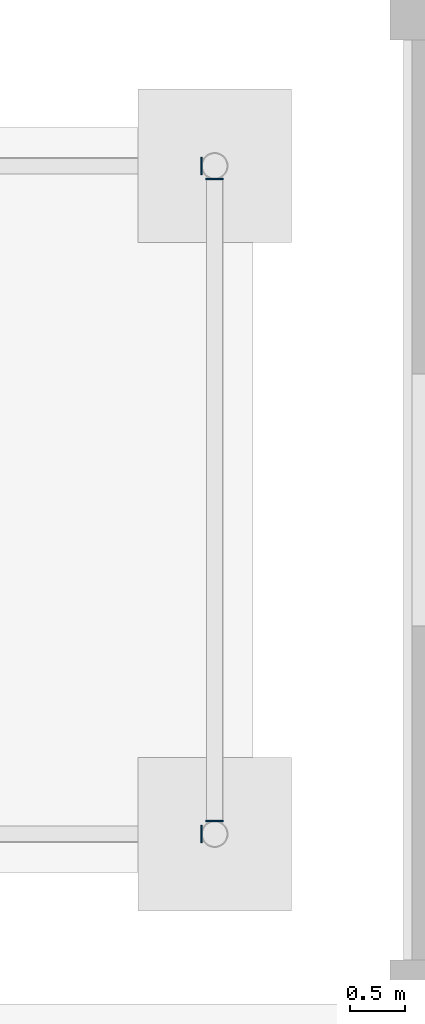
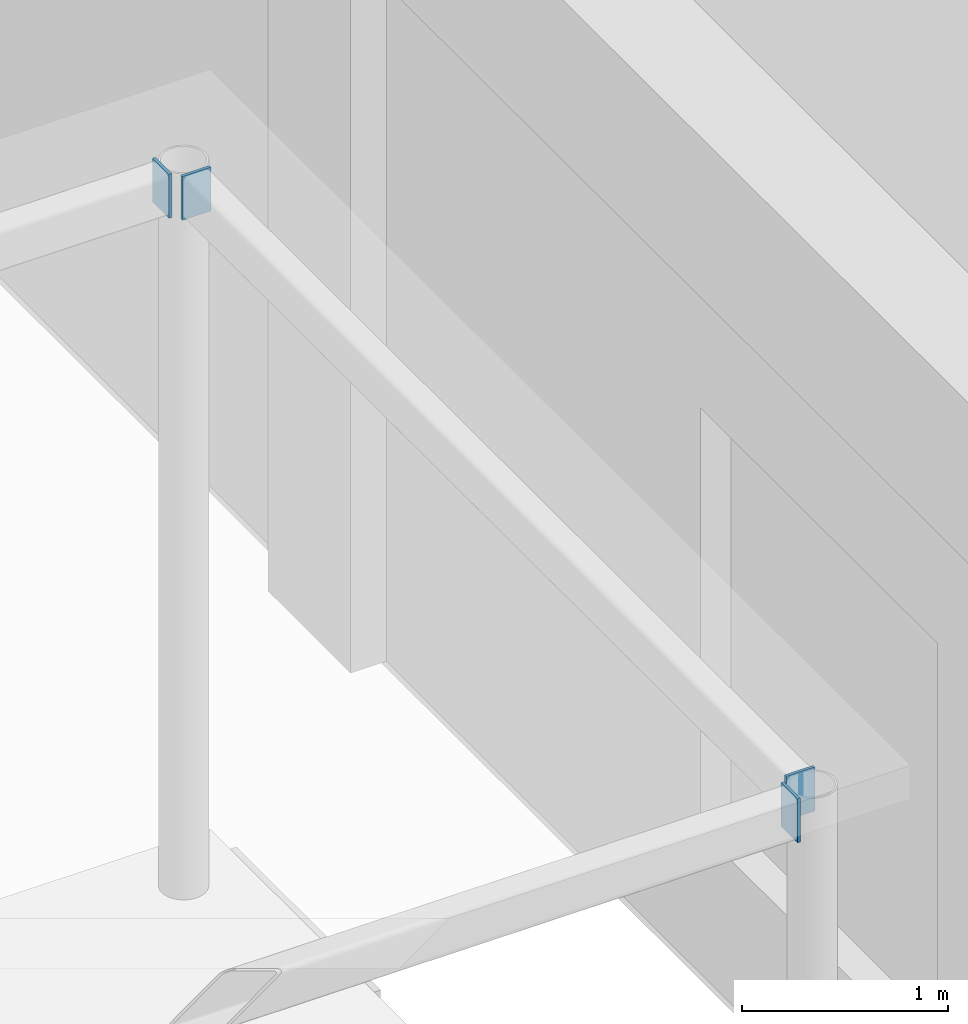
# One storey, part 50 of 76: 4 plates.
"""IFC4 building model written with IfcOpenShell, lengths in metres."""

import ifcopenshell
import ifcopenshell.guid

model = None  # the IFC model being written
_history = None  # IfcOwnerHistory: only IFC2X3 demands one
_inside = {}  # id of a spatial element -> (the spatial element, [elements in it])
_under = {}  # id of a project, library or spatial element -> (it, [spatial elements below it])
_declared = {}  # id of a project -> (the project, [libraries it declares])
_typed = {}  # id of a type object -> (the type object, [elements of that type])
_made_of = {}  # id of a material, layer set ... -> (it, [elements and type objects made of it])


def new_model(schema):
    """Start an empty IFC model of exactly this schema.

    Asked for "IFC4X3", IfcOpenShell would pick the latest addendum, in which some entities
    have other attributes; the version numbers below select the first issue.
    IFC2X3 requires an IfcOwnerHistory on every rooted entity: one is made here for all.
    """
    global model, _history
    if schema == "IFC4X3":
        model = ifcopenshell.file(schema_version=(4, 3, 0, 0))
    else:
        model = ifcopenshell.file(schema=schema)
    _inside.clear()
    _under.clear()
    _declared.clear()
    _typed.clear()
    _made_of.clear()
    _history = None
    if model.schema == "IFC2X3":
        org = make("IfcOrganization", Name="unknown")
        user = make(
            "IfcPersonAndOrganization",
            ThePerson=make("IfcPerson", FamilyName="unknown"),
            TheOrganization=org,
        )
        app = make(
            "IfcApplication",
            ApplicationDeveloper=org,
            Version="unknown",
            ApplicationFullName="unknown",
            ApplicationIdentifier="unknown",
        )
        _history = make(
            "IfcOwnerHistory",
            OwningUser=user,
            OwningApplication=app,
            ChangeAction="ADDED",
            CreationDate=0,
        )
    return model


def make(cls, **values):
    """One entity of the class cls with the attributes given. An attribute that is None is left unset."""
    return model.create_entity(
        cls, **{name: value for name, value in values.items() if value is not None}
    )


def rooted(cls, **values):
    """An entity with a GlobalId (a new one), such as an element, a storey or a relation."""
    return make(cls, GlobalId=ifcopenshell.guid.new(), OwnerHistory=_history, **values)


def si_unit(unit_type, name, prefix=None):
    """IfcSIUnit, for example si_unit("LENGTHUNIT", "METRE", prefix="MILLI")."""
    return make("IfcSIUnit", UnitType=unit_type, Prefix=prefix, Name=name)


def assignment(units):
    """IfcUnitAssignment: the units of a project."""
    return None if units is None else make("IfcUnitAssignment", Units=units)


def point(xyz):
    """IfcCartesianPoint."""
    return None if xyz is None else make("IfcCartesianPoint", Coordinates=xyz)


def direction(xyz):
    """IfcDirection."""
    return None if xyz is None else make("IfcDirection", DirectionRatios=xyz)


def frame(location, z_axis=None, x_axis=None):
    """IfcAxis2Placement3D, a coordinate frame: its origin and axes. An axis left out is left unset."""
    return make(
        "IfcAxis2Placement3D",
        Location=point(location),
        Axis=direction(z_axis),
        RefDirection=direction(x_axis),
    )


def frame_2d(location, x_axis=None):
    """IfcAxis2Placement2D, a coordinate frame in the plane: its origin and x axis."""
    return make(
        "IfcAxis2Placement2D", Location=point(location), RefDirection=direction(x_axis)
    )


def origin():
    """The frame at (0, 0, 0) with its axes left unset."""
    return frame((0.0, 0.0, 0.0))


def origin_2d():
    """The frame at (0, 0) in the plane with its x axis left unset."""
    return frame_2d((0.0, 0.0))


def place(relative_to, where):
    """IfcLocalPlacement: puts the frame where relative to a parent placement (None: the world)."""
    return make(
        "IfcLocalPlacement", PlacementRelTo=relative_to, RelativePlacement=where
    )


def context(
    kind, dimensions, precision=None, world=None, true_north=None, identifier=None
):
    """IfcGeometricRepresentationContext, for example the 3D "Model" context."""
    return make(
        "IfcGeometricRepresentationContext",
        ContextIdentifier=identifier,
        ContextType=kind,
        CoordinateSpaceDimension=dimensions,
        Precision=precision,
        WorldCoordinateSystem=world,
        TrueNorth=true_north,
    )


def subcontext(parent, identifier, kind, view, scale=None):
    """IfcGeometricRepresentationSubContext, for example "Body" below "Model"."""
    return make(
        "IfcGeometricRepresentationSubContext",
        ContextIdentifier=identifier,
        ContextType=kind,
        ParentContext=parent,
        TargetScale=scale,
        TargetView=view,
    )


def project(units=None, contexts=None):
    """IfcProject with its units and contexts."""
    return rooted(
        "IfcProject",
        Name="project",
        RepresentationContexts=contexts,
        UnitsInContext=assignment(units),
    )


def spatial(cls, under=None, at=None, **own):
    """A site, building, storey or space (cls), placed at a placement, below another one or the project."""
    s = rooted(cls, ObjectPlacement=at, **own)
    if under is not None:
        _under.setdefault(under.id(), (under, []))[1].append(s)
    return s


def profile(cls, at=None, kind="AREA", **sizes):
    """A parametric profile (cls). Its sizes go by their IFC names, for example OverallWidth=200.0."""
    return make(cls, ProfileType=kind, Position=at, **sizes)


def rectangle(**sizes):
    """IfcRectangleProfileDef."""
    return profile("IfcRectangleProfileDef", **sizes)


def extrude(swept, where, along, depth):
    """IfcExtrudedAreaSolid: the profile swept, set in the frame where, extruded along a direction by depth."""
    return make(
        "IfcExtrudedAreaSolid",
        SweptArea=swept,
        Position=where,
        ExtrudedDirection=direction(along),
        Depth=depth,
    )


def shape(context_of_items, identifier, shape_type, items):
    """IfcShapeRepresentation: the items that make up one representation, for example the "Body"."""
    return make(
        "IfcShapeRepresentation",
        ContextOfItems=context_of_items,
        RepresentationIdentifier=identifier,
        RepresentationType=shape_type,
        Items=items,
    )


def material(Name=None, Category=None):
    """IfcMaterial."""
    return make("IfcMaterial", Name=Name, Category=Category)


def layer(
    of_material, thickness, ventilated=None, Name=None, Category=None, Priority=None
):
    """IfcMaterialLayer: one layer of a wall or slab, of a material (None: an air gap)."""
    return make(
        "IfcMaterialLayer",
        Material=of_material,
        LayerThickness=thickness,
        IsVentilated=ventilated,
        Name=Name,
        Category=Category,
        Priority=Priority,
    )


def layer_set(layers, Name=None):
    """IfcMaterialLayerSet."""
    return make("IfcMaterialLayerSet", MaterialLayers=layers, LayerSetName=Name)


def made_of(thing, what):
    """Note that an element or type object is made of a material, layer set ...; save() writes the relation."""
    if what is not None:
        _made_of.setdefault(what.id(), (what, []))[1].append(thing)
    return thing


def type_object(cls, material=None, **own):
    """A type object (cls), such as IfcWallType, which elements share."""
    return made_of(rooted(cls, **own), material)


def element(
    cls,
    number,
    at=None,
    inside=None,
    cuts=None,
    type_object=None,
    material=None,
    context=None,
    identifier="Body",
    shape_type=None,
    held_by="IfcProductDefinitionShape",
    body=None,
    shapes=None,
    **own,
):
    """One element of the class cls, such as IfcWall. Its Tag is "e" and its number.

    at: its placement. inside: the storey or other place that contains it. cuts: it is an
    opening in that element (IfcRelVoidsElement). A single representation is given by context,
    identifier, shape_type and body (its items); several are given by shapes. held_by: the class
    of the entity that holds the representations. save() writes the other relations.
    """
    e = rooted(cls, Tag="e%d" % number, ObjectPlacement=at, **own)
    if body is not None:
        shapes = [shape(context, identifier, shape_type, body)]
    if shapes is not None:
        e.Representation = make(held_by, Representations=shapes)
    if inside is not None:
        _inside.setdefault(inside.id(), (inside, []))[1].append(e)
    if cuts is not None:
        rooted(
            "IfcRelVoidsElement", RelatingBuildingElement=cuts, RelatedOpeningElement=e
        )
    if type_object is not None:
        _typed.setdefault(type_object.id(), (type_object, []))[1].append(e)
    return made_of(e, material)


def aggregate(whole, parts):
    """IfcRelAggregates: a whole, such as a stair, and the parts it consists of."""
    return rooted("IfcRelAggregates", RelatingObject=whole, RelatedObjects=parts)


def save(model, path):
    """Write the relations noted so far, then the file.

    IfcRelAggregates (storeys below a building ...), IfcRelContainedInSpatialStructure (elements
    in a storey), IfcRelDefinesByType, IfcRelAssociatesMaterial and IfcRelDeclares: one each for
    every whole, place, type object, material and project.
    """
    for whole, parts in _under.values():
        aggregate(whole, parts)
    for where, things in _inside.values():
        rooted(
            "IfcRelContainedInSpatialStructure",
            RelatedElements=things,
            RelatingStructure=where,
        )
    for kind, things in _typed.values():
        rooted("IfcRelDefinesByType", RelatedObjects=things, RelatingType=kind)
    for what, things in _made_of.values():
        rooted("IfcRelAssociatesMaterial", RelatedObjects=things, RelatingMaterial=what)
    for by, libraries in _declared.values():
        rooted("IfcRelDeclares", RelatingContext=by, RelatedDefinitions=libraries)
    model.write(path)


model = new_model("IFC4")

# Units and contexts
model_context = context("Model", 3, precision=1e-05, world=origin(), true_north=direction((0.0, 1.0)))
body_context = subcontext(model_context, "Body", "Model", "MODEL_VIEW")
ifc_project = project(units=[si_unit("LENGTHUNIT", "METRE"), si_unit("AREAUNIT", "SQUARE_METRE"), si_unit("VOLUMEUNIT", "CUBIC_METRE"), si_unit("PLANEANGLEUNIT", "RADIAN"), si_unit("MASSUNIT", "GRAM", prefix="KILO")], contexts=[model_context])

# Site, building, storey
site_placement = place(None, origin())
site = spatial("IfcSite", under=ifc_project, at=site_placement, CompositionType="ELEMENT")
building_placement = place(site_placement, origin())
building = spatial("IfcBuilding", under=site, at=building_placement, Name="Bozkorgan Art Gallery", CompositionType="ELEMENT")
storey_placement = place(building_placement, origin())
storey = spatial("IfcBuildingStorey", under=building, at=storey_placement, Name="L00", CompositionType="ELEMENT", Elevation=0.0)

# Plates
ifc_material = material(Name="Steel S355J2", Category="steel")
ifc_layer = layer(ifc_material, 0.01611328125, Name="Steel S355J2")
ifc_layer_set = layer_set([ifc_layer], Name="Steel S355J2")
plate_type = type_object("IfcPlateType", Name="PLATE-EC-14", PredefinedType="USERDEFINED", material=ifc_layer_set)
for number, where, z_axis, x_axis, name in (
    (1, (125.8798828125, 85.949951171875, 4.044921875), (0.0, 0.0, 1.0), (1.0, 0.0, 0.0), "East Water-Court Covered Walk chord end cap 1.2"),
    (2, (126.0, 86.070068359375, 4.044921875), (0.0, 0.0, 1.0), (0.0, 1.0, 0.0), "East Water-Court Covered Walk chord end cap 2.1"),
    (3, (126.0, 91.929931640625, 4.044921875), (0.0, 0.0, 1.0), (0.0, 1.0, 0.0), "East Water-Court Covered Walk chord end cap 2.2"),
    (4, (125.8798828125, 92.050048828125, 4.044921875), (0.0, 0.0, 1.0), (-1.0, 0.0, 0.0), "East Water-Court Covered Walk chord end cap 3.1"),
):
    element("IfcPlate", number, at=place(storey_placement, frame(where, z_axis=z_axis, x_axis=x_axis)), inside=storey, type_object=plate_type, Name=name, ObjectType="END CAP PLATE", PredefinedType="USERDEFINED", context=body_context, shape_type="SweptSolid", body=[
        extrude(rectangle(XDim=0.01611328125, YDim=0.159912109375, at=origin_2d()), origin(), (0.0, 0.0, 1.0), 0.260009765625),
    ])

save(model, "model.ifc")
